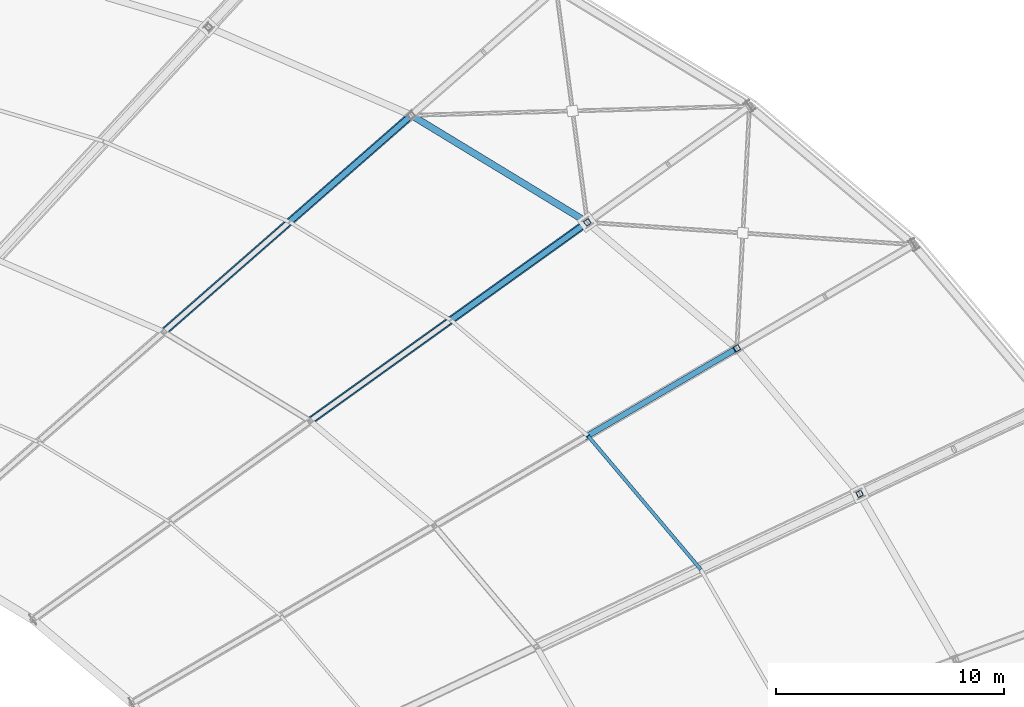
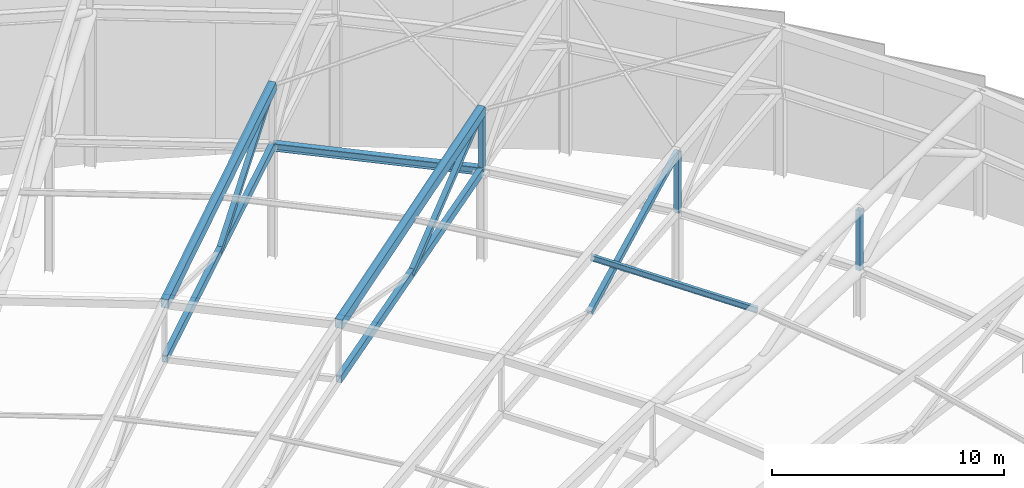
# One storey, part 83 of 143: 7 members, 5 beams.
"""IFC4 building model written with IfcOpenShell, lengths in metres."""

from ifc_helpers import new_model, si_unit, direction, frame, origin, origin_2d, place, context, subcontext, project, spatial, hollow_rectangle, i_section, extrude, material, material_profile, profile_set, type_object, element, save


model = new_model("IFC4")

# Units and contexts
model_context = context("Model", 3, precision=1e-05, world=origin(), true_north=direction((0.0, 1.0)))
body_context = subcontext(model_context, "Body", "Model", "MODEL_VIEW")
ifc_project = project(units=[si_unit("LENGTHUNIT", "METRE"), si_unit("AREAUNIT", "SQUARE_METRE"), si_unit("VOLUMEUNIT", "CUBIC_METRE"), si_unit("PLANEANGLEUNIT", "RADIAN"), si_unit("MASSUNIT", "GRAM", prefix="KILO")], contexts=[model_context])

# Site, building, storey
site_placement = place(None, origin())
site = spatial("IfcSite", under=ifc_project, at=site_placement, CompositionType="ELEMENT")
building_placement = place(site_placement, origin())
building = spatial("IfcBuilding", under=site, at=building_placement, Name="Mphavela Belvedere Stadium", CompositionType="ELEMENT")
storey_placement = place(building_placement, frame((0.0, 0.0, 28.800048828125)))
storey = spatial("IfcBuildingStorey", under=building, at=storey_placement, Name="RF", CompositionType="ELEMENT", Elevation=28.800048828125)

# Beams
ifc_material_1 = material(Name="Steel S355", Category="steel")
ifc_material_profile_1 = material_profile(ifc_material_1, i_section(OverallWidth=0.300048828125, OverallDepth=0.39990234375, WebThickness=0.013427734375, FlangeThickness=0.02392578125, at=origin_2d()), Name="HEB 400")
ifc_profile_set_1 = profile_set([ifc_material_profile_1], Name="Steel S355")
beam_type_1 = type_object("IfcBeamType", Name="BM-STEEL-HEB400", PredefinedType="BEAM", material=ifc_profile_set_1)
beam_1_placement = place(storey_placement, frame((187.061279296875, 138.631591796875, 4.701171875), z_axis=(-0.847668189677, 0.5157113945, 0.124500593545), x_axis=(-0.519755333579, -0.854315160357, 0.0)))
element("IfcBeam", 1, at=beam_1_placement, inside=storey, type_object=beam_type_1, Name="Roof bottom-chord tie girder R3-07", PredefinedType="BEAM", context=body_context, shape_type="SweptSolid", body=[
    extrude(i_section(OverallWidth=0.300048828125, OverallDepth=0.39990234375, WebThickness=0.013427734375, FlangeThickness=0.02392578125, at=origin_2d()), origin(), (0.0, 0.0, 1.0), 9.085205078125),
])
ifc_material_2 = material(Name="Steel S355", Category="steel")
ifc_material_profile_2 = material_profile(ifc_material_2, hollow_rectangle(XDim=0.25, YDim=0.39990234375, WallThickness=0.01611328125, at=origin_2d()), Name="RHS 400x250x16")
ifc_profile_set_2 = profile_set([ifc_material_profile_2], Name="Steel S355")
beam_type_2 = type_object("IfcBeamType", Name="BM-TRUSS-BC2", PredefinedType="BEAM", material=ifc_profile_set_2)
beam_2_placement = place(storey_placement, frame((187.061279296875, 138.631591796875, 4.701171875), z_axis=(-0.808932564124, -0.579596935267, -0.098465726675), x_axis=(0.582427273986, -0.812882814751, 0.0)))
element("IfcBeam", 2, at=beam_2_placement, inside=storey, type_object=beam_type_2, Name="Radial roof truss RT-07 bottom chord 2", PredefinedType="BEAM", context=body_context, shape_type="SweptSolid", body=[
    extrude(hollow_rectangle(XDim=0.25, YDim=0.39990234375, WallThickness=0.01611328125, at=origin_2d()), origin(), (0.0, 0.0, 1.0), 15.000732421875),
])
beam_3_placement = place(storey_placement, frame((179.360107421875, 143.31689453125, 5.832275390625), z_axis=(-0.747566278438, -0.654152069556, -0.115020560063), x_axis=(0.658522610874, -0.752560941697, 0.0)))
element("IfcBeam", 3, at=beam_3_placement, inside=storey, type_object=beam_type_2, Name="Radial roof truss RT-08 bottom chord 2", PredefinedType="BEAM", context=body_context, shape_type="SweptSolid", body=[
    extrude(hollow_rectangle(XDim=0.25, YDim=0.39990234375, WallThickness=0.01611328125, at=origin_2d()), origin(), (0.0, 0.0, 1.0), 14.497314453125),
])
ifc_material_3 = material(Name="Steel S355", Category="steel")
ifc_material_profile_3 = material_profile(ifc_material_3, hollow_rectangle(XDim=0.35009765625, YDim=0.5, WallThickness=0.02001953125, at=origin_2d()), Name="RHS 500x350x20")
ifc_profile_set_3 = profile_set([ifc_material_profile_3], Name="Steel S355")
beam_type_3 = type_object("IfcBeamType", Name="BM-TRUSS-TC2", PredefinedType="BEAM", material=ifc_profile_set_3)
beam_4_placement = place(storey_placement, frame((187.061279296875, 138.631591796875, 7.851318359375), z_axis=(-0.807496577749, -0.578568056793, -0.114927283886), x_axis=(0.582427273986, -0.812882814751, 0.0)))
element("IfcBeam", 4, at=beam_4_placement, inside=storey, type_object=beam_type_3, Name="Radial roof truss RT-07 top chord 2", PredefinedType="BEAM", context=body_context, shape_type="SweptSolid", body=[
    extrude(hollow_rectangle(XDim=0.35009765625, YDim=0.5, WallThickness=0.02001953125, at=origin_2d()), origin(), (0.0, 0.0, 1.0), 15.02734375),
])
beam_5_placement = place(storey_placement, frame((179.360107421875, 143.31689453125, 8.982177734375), z_axis=(-0.745977412319, -0.65276174459, -0.131984109309), x_axis=(0.658522610874, -0.752560941697, 0.0)))
element("IfcBeam", 5, at=beam_5_placement, inside=storey, type_object=beam_type_3, Name="Radial roof truss RT-08 top chord 2", PredefinedType="BEAM", context=body_context, shape_type="SweptSolid", body=[
    extrude(hollow_rectangle(XDim=0.35009765625, YDim=0.5, WallThickness=0.02001953125, at=origin_2d()), origin(), (0.0, 0.0, 1.0), 14.528076171875),
])

# Members
ifc_material_4 = material(Name="Steel S355", Category="steel")
ifc_material_profile_4 = material_profile(ifc_material_4, hollow_rectangle(XDim=0.25, YDim=0.25, WallThickness=0.012451171875, at=origin_2d()), Name="SHS 250x250x12.5")
ifc_profile_set_4 = profile_set([ifc_material_profile_4], Name="Steel S355")
member_type_1 = type_object("IfcMemberType", Name="MEM-POST-SHS250", PredefinedType="POST", material=ifc_profile_set_4)
for number, where, z_axis, x_axis, name in (
    (6, (198.9755859375, 126.748291015625, 2.516357421875), (0.0, 0.0, 1.0), (0.903858661687, 0.4278311813, 0.0), "Radial roof truss RT-05 post P2"),
    (7, (193.600341796875, 133.11376953125, 3.5703125), (0.0, 0.0, 1.0), (0.862513669207, 0.506033764121, 0.0), "Radial roof truss RT-06 post P2"),
):
    element("IfcMember", number, at=place(storey_placement, frame(where, z_axis=z_axis, x_axis=x_axis)), inside=storey, type_object=member_type_1, Name=name, PredefinedType="POST", context=body_context, shape_type="SweptSolid", body=[
        extrude(hollow_rectangle(XDim=0.25, YDim=0.25, WallThickness=0.012451171875, at=origin_2d()), origin(), (0.0, 0.0, 1.0), 3.14990234375),
    ])
member_1_placement = place(storey_placement, frame((193.600341796875, 133.11376953125, 6.72021484375), z_axis=(-0.773195010887, -0.453614205118, -0.443174489399), x_axis=(0.506019976989, -0.862521757922, 0.0)))
element("IfcMember", 8, at=member_1_placement, inside=storey, type_object=member_type_1, Name="Radial roof truss RT-06 web diagonal D3", PredefinedType="POST", context=body_context, shape_type="SweptSolid", body=[
    extrude(hollow_rectangle(XDim=0.25, YDim=0.25, WallThickness=0.012451171875, at=origin_2d()), origin(), (0.0, 0.0, 1.0), 8.55908203125),
])
member_2_placement = place(storey_placement, frame((187.061279296875, 138.631591796875, 4.701171875), z_axis=(0.0, 0.0, 1.0), x_axis=(0.812897512265, 0.582406760395, 0.0)))
element("IfcMember", 9, at=member_2_placement, inside=storey, type_object=member_type_1, Name="Radial roof truss RT-07 post P2", PredefinedType="POST", context=body_context, shape_type="SweptSolid", body=[
    extrude(hollow_rectangle(XDim=0.25, YDim=0.25, WallThickness=0.012451171875, at=origin_2d()), origin(), (0.0, 0.0, 1.0), 3.150146484375),
])
member_3_placement = place(storey_placement, frame((187.061279296875, 138.631591796875, 7.851318359375), z_axis=(-0.720901423513, -0.516533368761, -0.462054560127), x_axis=(0.582435017164, -0.812877266739, 0.0)))
element("IfcMember", 10, at=member_3_placement, inside=storey, type_object=member_type_1, Name="Radial roof truss RT-07 web diagonal D3", PredefinedType="POST", context=body_context, shape_type="SweptSolid", body=[
    extrude(hollow_rectangle(XDim=0.25, YDim=0.25, WallThickness=0.012451171875, at=origin_2d()), origin(), (0.0, 0.0, 1.0), 8.416015625),
])
member_4_placement = place(storey_placement, frame((179.360107421875, 143.31689453125, 8.982177734375), z_axis=(-0.658493272583, -0.576222407754, -0.484101587237), x_axis=(0.658531012484, -0.752553589851, 0.0)))
element("IfcMember", 11, at=member_4_placement, inside=storey, type_object=member_type_1, Name="Radial roof truss RT-08 web diagonal D3", PredefinedType="POST", context=body_context, shape_type="SweptSolid", body=[
    extrude(hollow_rectangle(XDim=0.25, YDim=0.25, WallThickness=0.012451171875, at=origin_2d()), origin(), (0.0, 0.0, 1.0), 8.22900390625),
])
ifc_material_5 = material(Name="Steel S355", Category="steel")
ifc_material_profile_5 = material_profile(ifc_material_5, i_section(OverallWidth=0.14990234375, OverallDepth=0.300048828125, WebThickness=0.007080078125, FlangeThickness=0.0107421875, at=origin_2d()), Name="IPE 300")
ifc_profile_set_5 = profile_set([ifc_material_profile_5], Name="Steel S355")
member_type_2 = type_object("IfcMemberType", Name="MEM-PURLIN-IPE300", PredefinedType="PURLIN", material=ifc_profile_set_5)
member_5_placement = place(storey_placement, frame((192.013916015625, 123.453125, 4.807373046875), z_axis=(-0.640075923464, 0.757997993357, 0.125466546408), x_axis=(-0.764035515933, -0.645174186087, 0.0)))
element("IfcMember", 12, at=member_5_placement, inside=storey, type_object=member_type_2, Name="Saddle canopy steel purlin 05-2", PredefinedType="PURLIN", context=body_context, shape_type="SweptSolid", body=[
    extrude(i_section(OverallWidth=0.14990234375, OverallDepth=0.300048828125, WebThickness=0.007080078125, FlangeThickness=0.0107421875, at=origin_2d()), origin(), (0.0, 0.0, 1.0), 7.70166015625),
])

save(model, "model.ifc")
